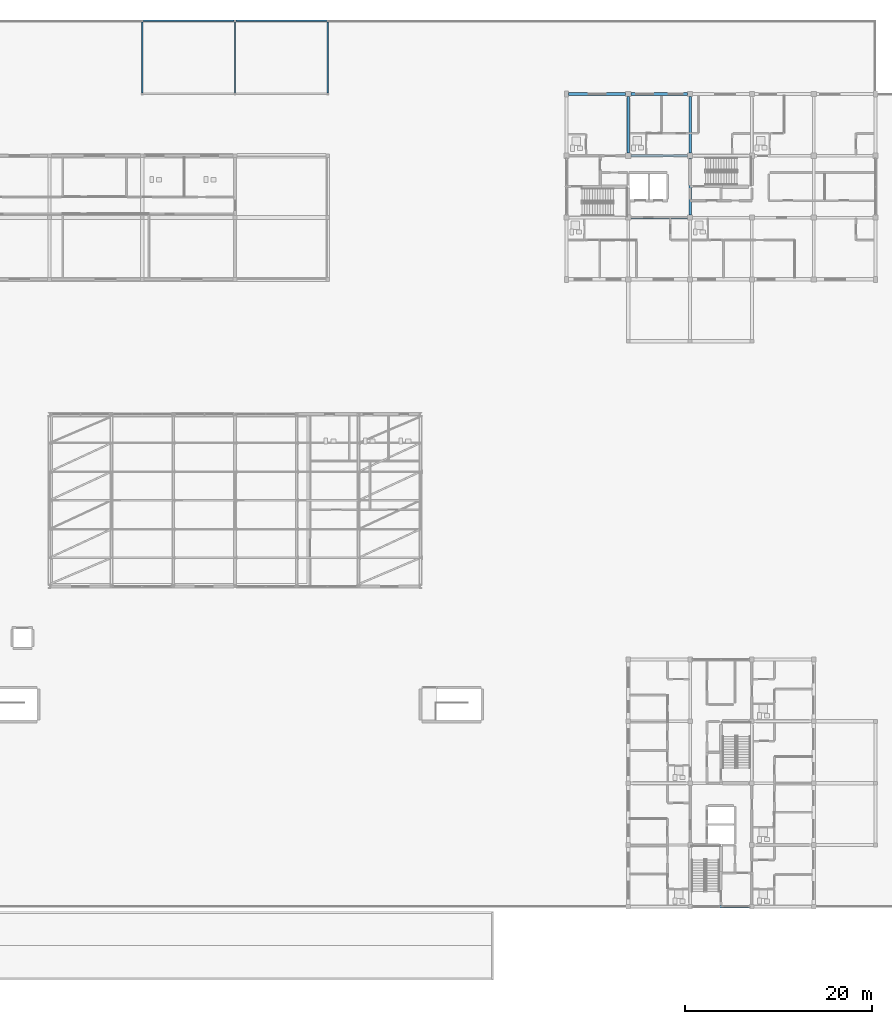
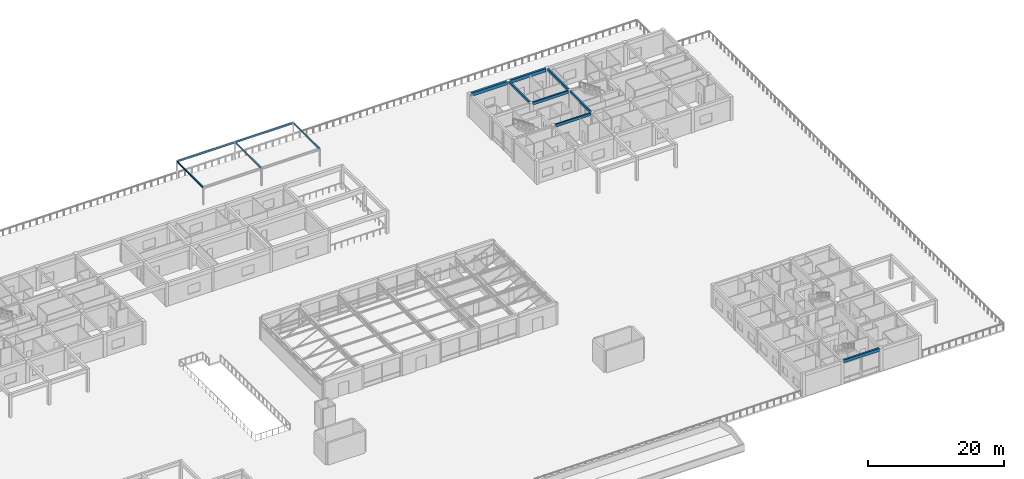
# One storey, part 42 of 92: 13 beams.
"""IFC4 building model written with IfcOpenShell, lengths in metres."""

from ifc_helpers import new_model, si_unit, direction, frame, origin, origin_2d, place, context, subcontext, project, spatial, rectangle, i_section, extrude, material, material_profile, profile_set, type_object, element, save


model = new_model("IFC4")

# Units and contexts
model_context = context("Model", 3, precision=1e-05, world=origin(), true_north=direction((0.0, 1.0)))
body_context = subcontext(model_context, "Body", "Model", "MODEL_VIEW")
ifc_project = project(units=[si_unit("LENGTHUNIT", "METRE"), si_unit("AREAUNIT", "SQUARE_METRE"), si_unit("VOLUMEUNIT", "CUBIC_METRE"), si_unit("PLANEANGLEUNIT", "RADIAN"), si_unit("MASSUNIT", "GRAM", prefix="KILO")], contexts=[model_context])

# Site, building, storey
site_placement = place(None, origin())
site = spatial("IfcSite", under=ifc_project, at=site_placement, CompositionType="ELEMENT")
building_placement = place(site_placement, origin())
building = spatial("IfcBuilding", under=site, at=building_placement, Name="Kernevlak Ridge Housing Community", CompositionType="ELEMENT")
storey_placement = place(building_placement, frame((0.0, 0.0, 4.199951171875)))
storey = spatial("IfcBuildingStorey", under=building, at=storey_placement, Name="L01", CompositionType="ELEMENT", Elevation=4.199951171875)

# Beams
ifc_material_1 = material(Name="Concrete C35/45", Category="concrete")
ifc_material_profile_1 = material_profile(ifc_material_1, rectangle(XDim=0.25, YDim=0.449951171875, at=origin_2d()), Name="RC 250x450")
ifc_profile_set_1 = profile_set([ifc_material_profile_1], Name="Concrete C35/45")
beam_type_1 = type_object("IfcBeamType", Name="B-04", PredefinedType="T_BEAM", material=ifc_profile_set_1)
beam_1_placement = place(storey_placement, frame((126.0, 96.074951171875, 3.97509765625), z_axis=(0.0, 1.0, 0.0), x_axis=(-1.0, 0.0, 0.0)))
element("IfcBeam", 1, at=beam_1_placement, inside=storey, type_object=beam_type_1, Name="Beam B-04 L01 617", PredefinedType="T_BEAM", context=body_context, shape_type="SweptSolid", body=[
    extrude(rectangle(XDim=0.25, YDim=0.449951171875, at=origin_2d()), origin(), (0.0, 0.0, 1.0), 6.050048828125),
])
beam_2_placement = place(storey_placement, frame((132.60009765625, 89.47509765625, 3.97509765625), z_axis=(0.0, 1.0, 0.0), x_axis=(-1.0, 0.0, 0.0)))
element("IfcBeam", 2, at=beam_2_placement, inside=storey, type_object=beam_type_1, Name="Beam B-04 L01 619", PredefinedType="T_BEAM", context=body_context, shape_type="SweptSolid", body=[
    extrude(rectangle(XDim=0.25, YDim=0.449951171875, at=origin_2d()), origin(), (0.0, 0.0, 1.0), 6.0498046875),
])
beam_3_placement = place(storey_placement, frame((132.60009765625, 96.074951171875, 3.97509765625), z_axis=(0.0, 1.0, 0.0), x_axis=(-1.0, 0.0, 0.0)))
element("IfcBeam", 3, at=beam_3_placement, inside=storey, type_object=beam_type_1, Name="Beam B-04 L01 620", PredefinedType="T_BEAM", context=body_context, shape_type="SweptSolid", body=[
    extrude(rectangle(XDim=0.25, YDim=0.449951171875, at=origin_2d()), origin(), (0.0, 0.0, 1.0), 6.050048828125),
])
ifc_material_profile_2 = material_profile(ifc_material_1, rectangle(XDim=0.25, YDim=0.5, at=origin_2d()), Name="RC 250x500")
ifc_profile_set_2 = profile_set([ifc_material_profile_2], Name="Concrete C35/45")
beam_type_2 = type_object("IfcBeamType", Name="B-06", PredefinedType="T_BEAM", material=ifc_profile_set_2)
for number, where, z_axis, x_axis, name in (
    (4, (126.27490234375, 89.199951171875, 3.949951171875), (1.0, 0.0, 0.0), (0.0, 1.0, 0.0), "Beam B-06 L01 599"),
    (5, (126.27490234375, 95.800048828125, 3.949951171875), (1.0, 0.0, 0.0), (0.0, 1.0, 0.0), "Beam B-06 L01 604"),
):
    element("IfcBeam", number, at=place(storey_placement, frame(where, z_axis=z_axis, x_axis=x_axis)), inside=storey, type_object=beam_type_2, Name=name, PredefinedType="T_BEAM", context=body_context, shape_type="SweptSolid", body=[
        extrude(rectangle(XDim=0.25, YDim=0.5, at=origin_2d()), origin(), (0.0, 0.0, 1.0), 6.050048828125),
    ])
ifc_material_2 = material(Name="Steel S355", Category="steel")
ifc_material_profile_3 = material_profile(ifc_material_2, i_section(OverallWidth=0.159912109375, OverallDepth=0.330078125, WebThickness=0.007568359375, FlangeThickness=0.011474609375, FilletRadius=0.01806640625, at=origin_2d()), Name="IPE 330")
ifc_profile_set_3 = profile_set([ifc_material_profile_3], Name="Steel S355")
beam_type_3 = type_object("IfcBeamType", Name="SB-04", PredefinedType="BEAM", material=ifc_profile_set_3)
for number, where, z_axis, x_axis, name in (
    (6, (74.199951171875, 110.199951171875, 3.054931640625), (1.0, 0.0, 0.0), (0.0, 1.0, 0.0), "Beam SB-04 L01 2467"),
    (7, (84.10009765625, 110.199951171875, 3.054931640625), (1.0, 0.0, 0.0), (0.0, 1.0, 0.0), "Beam SB-04 L01 2468"),
):
    element("IfcBeam", number, at=place(storey_placement, frame(where, z_axis=z_axis, x_axis=x_axis)), inside=storey, type_object=beam_type_3, Name=name, PredefinedType="BEAM", context=body_context, shape_type="SweptSolid", body=[
        extrude(i_section(OverallWidth=0.159912109375, OverallDepth=0.330078125, WebThickness=0.007568359375, FlangeThickness=0.011474609375, FilletRadius=0.01806640625, at=origin_2d()), origin(), (0.0, 0.0, 1.0), 9.699951171875),
    ])
ifc_material_profile_4 = material_profile(ifc_material_2, i_section(OverallWidth=0.14990234375, OverallDepth=0.300048828125, WebThickness=0.007080078125, FlangeThickness=0.0107421875, FilletRadius=0.014892578125, at=origin_2d()), Name="IPE 300")
ifc_profile_set_4 = profile_set([ifc_material_profile_4], Name="Steel S355")
beam_type_4 = type_object("IfcBeamType", Name="SB-05", PredefinedType="BEAM", material=ifc_profile_set_4)
for number, where, z_axis, x_axis, name in (
    (8, (74.10009765625, 102.5, 3.070068359375), (0.0, 1.0, 0.0), (-1.0, 0.0, 0.0), "Beam SB-05 L01 2469"),
    (9, (84.0, 102.5, 3.070068359375), (0.0, 1.0, 0.0), (-1.0, 0.0, 0.0), "Beam SB-05 L01 2470"),
    (10, (93.89990234375, 102.5, 3.070068359375), (0.0, 1.0, 0.0), (-1.0, 0.0, 0.0), "Beam SB-05 L01 2471"),
):
    element("IfcBeam", number, at=place(storey_placement, frame(where, z_axis=z_axis, x_axis=x_axis)), inside=storey, type_object=beam_type_4, Name=name, PredefinedType="BEAM", context=body_context, shape_type="SweptSolid", body=[
        extrude(i_section(OverallWidth=0.14990234375, OverallDepth=0.300048828125, WebThickness=0.007080078125, FlangeThickness=0.0107421875, FilletRadius=0.014892578125, at=origin_2d()), origin(), (0.0, 0.0, 1.0), 7.60009765625),
    ])
ifc_material_profile_5 = material_profile(ifc_material_1, rectangle(XDim=0.300048828125, YDim=0.550048828125, at=origin_2d()), Name="RC 300x550")
ifc_profile_set_5 = profile_set([ifc_material_profile_5], Name="Concrete C35/45")
beam_type_5 = type_object("IfcBeamType", Name="SP-01", PredefinedType="SPANDREL", material=ifc_profile_set_5)
beam_4_placement = place(storey_placement, frame((132.85009765625, 15.60009765625, 3.925048828125), z_axis=(1.0, 0.0, 0.0), x_axis=(0.0, 1.0, 0.0)))
element("IfcBeam", 11, at=beam_4_placement, inside=storey, type_object=beam_type_5, Name="Beam SP-01 L01 1034", PredefinedType="SPANDREL", context=body_context, shape_type="SweptSolid", body=[
    extrude(rectangle(XDim=0.300048828125, YDim=0.550048828125, at=origin_2d()), origin(), (0.0, 0.0, 1.0), 6.099853515625),
])
ifc_material_profile_6 = material_profile(ifc_material_1, rectangle(XDim=0.35009765625, YDim=0.60009765625, at=origin_2d()), Name="RC 350x600")
ifc_profile_set_6 = profile_set([ifc_material_profile_6], Name="Concrete C35/45")
beam_type_6 = type_object("IfcBeamType", Name="SP-03", PredefinedType="SPANDREL", material=ifc_profile_set_6)
beam_5_placement = place(storey_placement, frame((119.625, 102.39990234375, 3.900146484375), z_axis=(1.0, 0.0, 0.0), x_axis=(0.0, 1.0, 0.0)))
element("IfcBeam", 12, at=beam_5_placement, inside=storey, type_object=beam_type_6, Name="Beam SP-03 L01 608", PredefinedType="SPANDREL", context=body_context, shape_type="SweptSolid", body=[
    extrude(rectangle(XDim=0.35009765625, YDim=0.60009765625, at=origin_2d()), origin(), (0.0, 0.0, 1.0), 6.10009765625),
])
beam_6_placement = place(storey_placement, frame((126.27490234375, 102.39990234375, 3.900146484375), z_axis=(1.0, 0.0, 0.0), x_axis=(0.0, 1.0, 0.0)))
element("IfcBeam", 13, at=beam_6_placement, inside=storey, type_object=beam_type_6, Name="Beam SP-03 L01 609", PredefinedType="SPANDREL", context=body_context, shape_type="SweptSolid", body=[
    extrude(rectangle(XDim=0.35009765625, YDim=0.60009765625, at=origin_2d()), origin(), (0.0, 0.0, 1.0), 6.050048828125),
])

save(model, "model.ifc")
